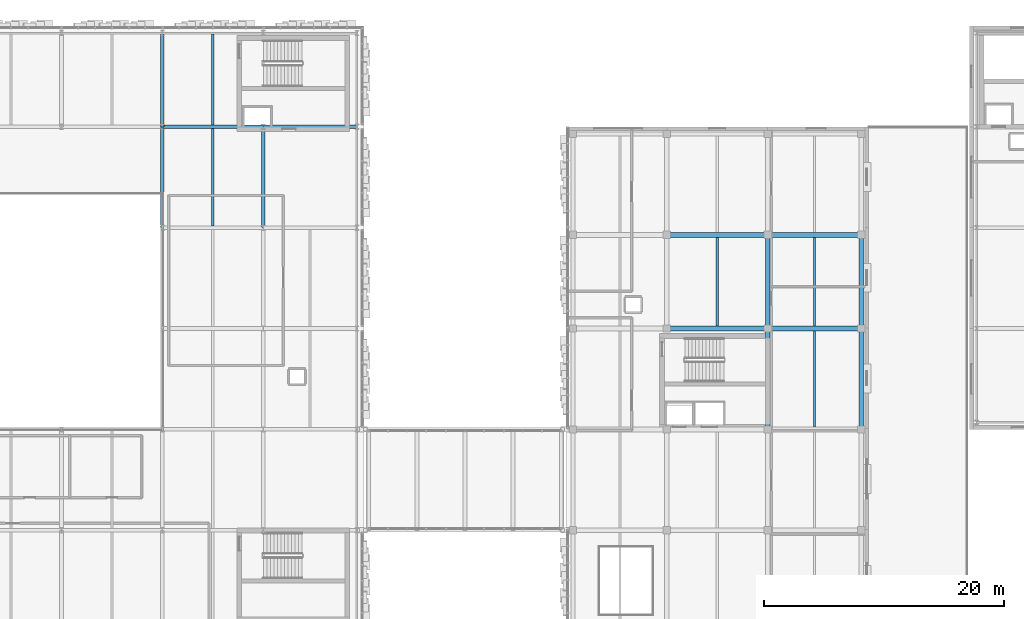
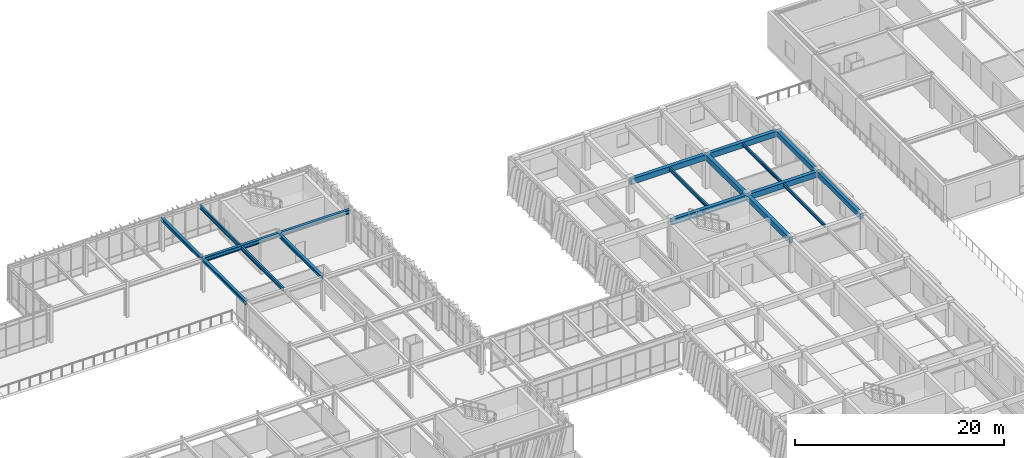
# One storey, part 67 of 127: 18 beams.
"""IFC4 building model written with IfcOpenShell, lengths in metres."""

from ifc_helpers import new_model, si_unit, direction, frame, origin, origin_2d, place, context, subcontext, project, spatial, rectangle, i_section, extrude, material, material_profile, profile_set, type_object, element, save


model = new_model("IFC4")

# Units and contexts
model_context = context("Model", 3, precision=1e-05, world=origin(), true_north=direction((0.0, 1.0)))
body_context = subcontext(model_context, "Body", "Model", "MODEL_VIEW")
ifc_project = project(units=[si_unit("LENGTHUNIT", "METRE"), si_unit("AREAUNIT", "SQUARE_METRE"), si_unit("VOLUMEUNIT", "CUBIC_METRE"), si_unit("PLANEANGLEUNIT", "RADIAN"), si_unit("MASSUNIT", "GRAM", prefix="KILO")], contexts=[model_context])

# Site, building, storey
site_placement = place(None, origin())
site = spatial("IfcSite", under=ifc_project, at=site_placement, CompositionType="ELEMENT")
building_placement = place(site_placement, origin())
building = spatial("IfcBuilding", under=site, at=building_placement, Name="Zayran Congress Hotel", CompositionType="ELEMENT")
storey_placement = place(building_placement, frame((0.0, 0.0, 10.800048828125)))
storey = spatial("IfcBuildingStorey", under=building, at=storey_placement, Name="L02", CompositionType="ELEMENT", Elevation=10.800048828125)

# Beams
ifc_material_1 = material(Name="Concrete C40/50", Category="concrete")
ifc_material_profile_1 = material_profile(ifc_material_1, rectangle(XDim=0.39990234375, YDim=0.64990234375, at=origin_2d()), Name="RC 400x650")
ifc_profile_set_1 = profile_set([ifc_material_profile_1], Name="Concrete C40/50")
beam_type_1 = type_object("IfcBeamType", Name="TP-BM-03", PredefinedType="BEAM", material=ifc_profile_set_1)
beam_1_placement = place(storey_placement, frame((117.60009765625, 92.800048828125, 3.594970703125), z_axis=(1.0, 0.0, 0.0), x_axis=(0.0, 1.0, 0.0)))
element("IfcBeam", 1, at=beam_1_placement, inside=storey, type_object=beam_type_1, Name="BM-V4-L02-1431", PredefinedType="BEAM", context=body_context, shape_type="SweptSolid", body=[
    extrude(rectangle(XDim=0.39990234375, YDim=0.64990234375, at=origin_2d()), origin(), (0.0, 0.0, 1.0), 8.39990234375),
])
beam_2_placement = place(storey_placement, frame((126.0, 92.800048828125, 3.594970703125), z_axis=(1.0, 0.0, 0.0), x_axis=(0.0, 1.0, 0.0)))
element("IfcBeam", 2, at=beam_2_placement, inside=storey, type_object=beam_type_1, Name="BM-V4-L02-1432", PredefinedType="BEAM", context=body_context, shape_type="SweptSolid", body=[
    extrude(rectangle(XDim=0.39990234375, YDim=0.64990234375, at=origin_2d()), origin(), (0.0, 0.0, 1.0), 7.800048828125),
])
beam_3_placement = place(storey_placement, frame((117.60009765625, 100.60009765625, 3.594970703125), z_axis=(1.0, 0.0, 0.0), x_axis=(0.0, 1.0, 0.0)))
element("IfcBeam", 3, at=beam_3_placement, inside=storey, type_object=beam_type_1, Name="BM-V4-L02-1434", PredefinedType="BEAM", context=body_context, shape_type="SweptSolid", body=[
    extrude(rectangle(XDim=0.39990234375, YDim=0.64990234375, at=origin_2d()), origin(), (0.0, 0.0, 1.0), 8.39990234375),
])
beam_4_placement = place(storey_placement, frame((126.0, 100.60009765625, 3.594970703125), z_axis=(1.0, 0.0, 0.0), x_axis=(0.0, 1.0, 0.0)))
element("IfcBeam", 4, at=beam_4_placement, inside=storey, type_object=beam_type_1, Name="BM-V4-L02-1435", PredefinedType="BEAM", context=body_context, shape_type="SweptSolid", body=[
    extrude(rectangle(XDim=0.39990234375, YDim=0.64990234375, at=origin_2d()), origin(), (0.0, 0.0, 1.0), 7.800048828125),
])
beam_5_placement = place(storey_placement, frame((126.0, 84.39990234375, 3.594970703125), z_axis=(0.0, 1.0, 0.0), x_axis=(-1.0, 0.0, 0.0)))
element("IfcBeam", 5, at=beam_5_placement, inside=storey, type_object=beam_type_1, Name="BM-V4-L02-1458", PredefinedType="BEAM", context=body_context, shape_type="SweptSolid", body=[
    extrude(rectangle(XDim=0.39990234375, YDim=0.64990234375, at=origin_2d()), origin(), (0.0, 0.0, 1.0), 8.400146484375),
])
beam_6_placement = place(storey_placement, frame((126.0, 92.800048828125, 3.594970703125), z_axis=(0.0, 1.0, 0.0), x_axis=(-1.0, 0.0, 0.0)))
element("IfcBeam", 6, at=beam_6_placement, inside=storey, type_object=beam_type_1, Name="BM-V4-L02-1459", PredefinedType="BEAM", context=body_context, shape_type="SweptSolid", body=[
    extrude(rectangle(XDim=0.39990234375, YDim=0.64990234375, at=origin_2d()), origin(), (0.0, 0.0, 1.0), 7.800048828125),
])
ifc_material_profile_2 = material_profile(ifc_material_1, rectangle(XDim=0.35009765625, YDim=0.60009765625, at=origin_2d()), Name="RC 350x600")
ifc_profile_set_2 = profile_set([ifc_material_profile_2], Name="Concrete C40/50")
beam_type_2 = type_object("IfcBeamType", Name="TP-SP-01", PredefinedType="SPANDREL", material=ifc_profile_set_2)
beam_7_placement = place(storey_placement, frame((133.800048828125, 84.39990234375, 3.619873046875), z_axis=(0.0, 1.0, 0.0), x_axis=(-1.0, 0.0, 0.0)))
element("IfcBeam", 7, at=beam_7_placement, inside=storey, type_object=beam_type_2, Name="BM-V4-L02-1466", PredefinedType="SPANDREL", context=body_context, shape_type="SweptSolid", body=[
    extrude(rectangle(XDim=0.35009765625, YDim=0.60009765625, at=origin_2d()), origin(), (0.0, 0.0, 1.0), 8.400146484375),
])
beam_8_placement = place(storey_placement, frame((133.800048828125, 92.800048828125, 3.619873046875), z_axis=(0.0, 1.0, 0.0), x_axis=(-1.0, 0.0, 0.0)))
element("IfcBeam", 8, at=beam_8_placement, inside=storey, type_object=beam_type_2, Name="BM-V4-L02-1467", PredefinedType="SPANDREL", context=body_context, shape_type="SweptSolid", body=[
    extrude(rectangle(XDim=0.35009765625, YDim=0.60009765625, at=origin_2d()), origin(), (0.0, 0.0, 1.0), 7.800048828125),
])
ifc_material_2 = material(Name="Steel S355", Category="steel")
ifc_material_profile_3 = material_profile(ifc_material_2, i_section(OverallWidth=0.300048828125, OverallDepth=0.489990234375, WebThickness=0.011962890625, FlangeThickness=0.02294921875, at=origin_2d()), Name="HEA 500")
ifc_profile_set_3 = profile_set([ifc_material_profile_3], Name="Steel S355")
beam_type_3 = type_object("IfcBeamType", Name="TP-BM-05", PredefinedType="BEAM", material=ifc_profile_set_3)
beam_9_placement = place(storey_placement, frame((75.60009765625, 109.60009765625, 3.675048828125), z_axis=(1.0, 0.0, 0.0), x_axis=(0.0, 1.0, 0.0)))
element("IfcBeam", 9, at=beam_9_placement, inside=storey, type_object=beam_type_3, Name="BM-V1-L02-0698", PredefinedType="BEAM", context=body_context, shape_type="SweptSolid", body=[
    extrude(i_section(OverallWidth=0.300048828125, OverallDepth=0.489990234375, WebThickness=0.011962890625, FlangeThickness=0.02294921875, at=origin_2d()), origin(), (0.0, 0.0, 1.0), 8.39990234375),
])
beam_10_placement = place(storey_placement, frame((84.0, 109.60009765625, 3.675048828125), z_axis=(1.0, 0.0, 0.0), x_axis=(0.0, 1.0, 0.0)))
element("IfcBeam", 10, at=beam_10_placement, inside=storey, type_object=beam_type_3, Name="BM-V1-L02-0699", PredefinedType="BEAM", context=body_context, shape_type="SweptSolid", body=[
    extrude(i_section(OverallWidth=0.300048828125, OverallDepth=0.489990234375, WebThickness=0.011962890625, FlangeThickness=0.02294921875, at=origin_2d()), origin(), (0.0, 0.0, 1.0), 7.800048828125),
])
ifc_material_profile_4 = material_profile(ifc_material_2, i_section(OverallWidth=0.300048828125, OverallDepth=0.389892578125, WebThickness=0.010986328125, FlangeThickness=0.01904296875, at=origin_2d()), Name="HEA 400")
ifc_profile_set_4 = profile_set([ifc_material_profile_4], Name="Steel S355")
beam_type_4 = type_object("IfcBeamType", Name="TP-BM-06", PredefinedType="BEAM", material=ifc_profile_set_4)
beam_11_placement = place(storey_placement, frame((75.60009765625, 101.199951171875, 3.724853515625), z_axis=(0.0, 1.0, 0.0), x_axis=(-1.0, 0.0, 0.0)))
element("IfcBeam", 11, at=beam_11_placement, inside=storey, type_object=beam_type_4, Name="BM-V1-L02-0745", PredefinedType="BEAM", context=body_context, shape_type="SweptSolid", body=[
    extrude(i_section(OverallWidth=0.300048828125, OverallDepth=0.389892578125, WebThickness=0.010986328125, FlangeThickness=0.01904296875, at=origin_2d()), origin(), (0.0, 0.0, 1.0), 8.400146484375),
])
beam_12_placement = place(storey_placement, frame((75.60009765625, 109.60009765625, 3.724853515625), z_axis=(0.0, 1.0, 0.0), x_axis=(-1.0, 0.0, 0.0)))
element("IfcBeam", 12, at=beam_12_placement, inside=storey, type_object=beam_type_4, Name="BM-V1-L02-0746", PredefinedType="BEAM", context=body_context, shape_type="SweptSolid", body=[
    extrude(i_section(OverallWidth=0.300048828125, OverallDepth=0.389892578125, WebThickness=0.010986328125, FlangeThickness=0.01904296875, at=origin_2d()), origin(), (0.0, 0.0, 1.0), 7.7998046875),
])
beam_13_placement = place(storey_placement, frame((84.0, 101.199951171875, 3.724853515625), z_axis=(0.0, 1.0, 0.0), x_axis=(-1.0, 0.0, 0.0)))
element("IfcBeam", 13, at=beam_13_placement, inside=storey, type_object=beam_type_4, Name="BM-V1-L02-0750", PredefinedType="BEAM", context=body_context, shape_type="SweptSolid", body=[
    extrude(i_section(OverallWidth=0.300048828125, OverallDepth=0.389892578125, WebThickness=0.010986328125, FlangeThickness=0.01904296875, at=origin_2d()), origin(), (0.0, 0.0, 1.0), 8.400146484375),
])
ifc_material_profile_5 = material_profile(ifc_material_2, i_section(OverallWidth=0.18994140625, OverallDepth=0.449951171875, WebThickness=0.009521484375, FlangeThickness=0.0146484375, at=origin_2d()), Name="IPE 450")
ifc_profile_set_5 = profile_set([ifc_material_profile_5], Name="Steel S355")
beam_type_5 = type_object("IfcBeamType", Name="TP-JS-02", PredefinedType="JOIST", material=ifc_profile_set_5)
beam_14_placement = place(storey_placement, frame((79.800048828125, 101.35009765625, 3.695068359375), z_axis=(0.0, 1.0, 0.0), x_axis=(-1.0, 0.0, 0.0)))
element("IfcBeam", 14, at=beam_14_placement, inside=storey, type_object=beam_type_5, Name="JST-V1-L02-0787", PredefinedType="JOIST", context=body_context, shape_type="SweptSolid", body=[
    extrude(i_section(OverallWidth=0.18994140625, OverallDepth=0.449951171875, WebThickness=0.009521484375, FlangeThickness=0.0146484375, at=origin_2d()), origin(), (0.0, 0.0, 1.0), 8.099853515625),
])
beam_15_placement = place(storey_placement, frame((79.800048828125, 109.75, 3.695068359375), z_axis=(0.0, 1.0, 0.0), x_axis=(-1.0, 0.0, 0.0)))
element("IfcBeam", 15, at=beam_15_placement, inside=storey, type_object=beam_type_5, Name="JST-V1-L02-0788", PredefinedType="JOIST", context=body_context, shape_type="SweptSolid", body=[
    extrude(i_section(OverallWidth=0.18994140625, OverallDepth=0.449951171875, WebThickness=0.009521484375, FlangeThickness=0.0146484375, at=origin_2d()), origin(), (0.0, 0.0, 1.0), 7.590087890625),
])
ifc_material_profile_6 = material_profile(ifc_material_2, i_section(OverallWidth=0.179931640625, OverallDepth=0.39990234375, WebThickness=0.008544921875, FlangeThickness=0.013427734375, at=origin_2d()), Name="IPE 400")
ifc_profile_set_6 = profile_set([ifc_material_profile_6], Name="Steel S355")
beam_type_6 = type_object("IfcBeamType", Name="TP-JS-03", PredefinedType="JOIST", material=ifc_profile_set_6)
beam_16_placement = place(storey_placement, frame((121.800048828125, 93.0, 3.719970703125), z_axis=(0.0, 1.0, 0.0), x_axis=(-1.0, 0.0, 0.0)))
element("IfcBeam", 16, at=beam_16_placement, inside=storey, type_object=beam_type_6, Name="JST-V4-L02-1481", PredefinedType="JOIST", context=body_context, shape_type="SweptSolid", body=[
    extrude(i_section(OverallWidth=0.179931640625, OverallDepth=0.39990234375, WebThickness=0.008544921875, FlangeThickness=0.013427734375, at=origin_2d()), origin(), (0.0, 0.0, 1.0), 7.39990234375),
])
ifc_material_profile_7 = material_profile(ifc_material_2, i_section(OverallWidth=0.169921875, OverallDepth=0.360107421875, WebThickness=0.008056640625, FlangeThickness=0.0126953125, at=origin_2d()), Name="IPE 360")
ifc_profile_set_7 = profile_set([ifc_material_profile_7], Name="Steel S355")
beam_type_7 = type_object("IfcBeamType", Name="TP-JS-04", PredefinedType="JOIST", material=ifc_profile_set_7)
beam_17_placement = place(storey_placement, frame((129.89990234375, 84.60009765625, 3.739990234375), z_axis=(0.0, 1.0, 0.0), x_axis=(-1.0, 0.0, 0.0)))
element("IfcBeam", 17, at=beam_17_placement, inside=storey, type_object=beam_type_7, Name="JST-V4-L02-1488", PredefinedType="JOIST", context=body_context, shape_type="SweptSolid", body=[
    extrude(i_section(OverallWidth=0.169921875, OverallDepth=0.360107421875, WebThickness=0.008056640625, FlangeThickness=0.0126953125, at=origin_2d()), origin(), (0.0, 0.0, 1.0), 8.0),
])
beam_18_placement = place(storey_placement, frame((129.89990234375, 93.0, 3.739990234375), z_axis=(0.0, 1.0, 0.0), x_axis=(-1.0, 0.0, 0.0)))
element("IfcBeam", 18, at=beam_18_placement, inside=storey, type_object=beam_type_7, Name="JST-V4-L02-1489", PredefinedType="JOIST", context=body_context, shape_type="SweptSolid", body=[
    extrude(i_section(OverallWidth=0.169921875, OverallDepth=0.360107421875, WebThickness=0.008056640625, FlangeThickness=0.0126953125, at=origin_2d()), origin(), (0.0, 0.0, 1.0), 7.39990234375),
])

save(model, "model.ifc")
